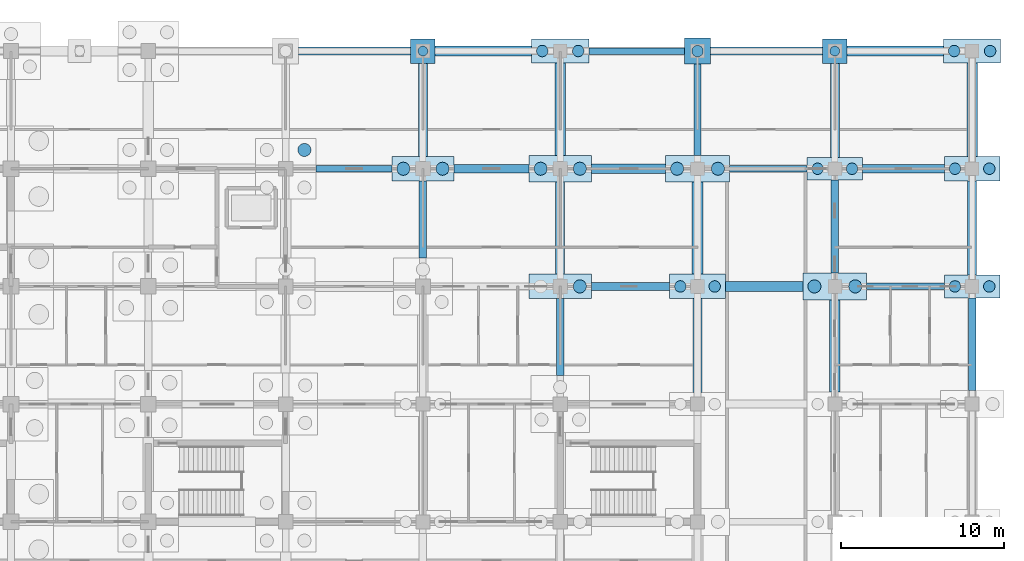
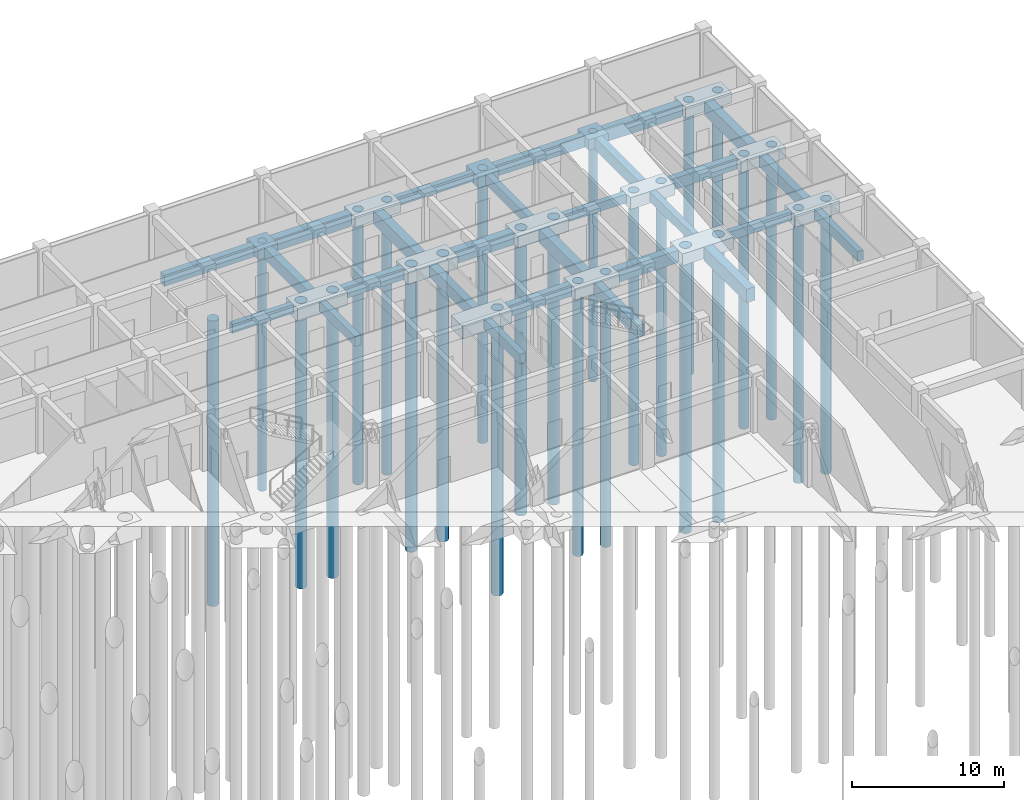
# One storey, part 16 of 85: 41 footings, 25 piles.
"""IFC4 building model written with IfcOpenShell, lengths in metres."""

from ifc_helpers import new_model, si_unit, direction, frame, origin, origin_2d, place, context, subcontext, project, spatial, rectangle, circle, extrude, material, material_profile, profile_set, type_object, element, save


model = new_model("IFC4")

# Units and contexts
model_context = context("Model", 3, precision=1e-05, world=origin(), true_north=direction((0.0, 1.0)))
body_context = subcontext(model_context, "Body", "Model", "MODEL_VIEW")
ifc_project = project(units=[si_unit("LENGTHUNIT", "METRE"), si_unit("AREAUNIT", "SQUARE_METRE"), si_unit("VOLUMEUNIT", "CUBIC_METRE"), si_unit("PLANEANGLEUNIT", "RADIAN"), si_unit("MASSUNIT", "GRAM", prefix="KILO")], contexts=[model_context])

# Site, building, storey
site_placement = place(None, origin())
site = spatial("IfcSite", under=ifc_project, at=site_placement, CompositionType="ELEMENT")
building_placement = place(site_placement, origin())
building = spatial("IfcBuilding", under=site, at=building_placement, Name="Chengyuan Square Courthouse", CompositionType="ELEMENT")
storey_placement = place(building_placement, frame((0.0, 0.0, -10.199951171875)))
storey = spatial("IfcBuildingStorey", under=building, at=storey_placement, Name="B02", CompositionType="ELEMENT", Elevation=-10.199951171875)

# Footings
ifc_material = material(Name="Concrete C40", Category="concrete")
ifc_material_profile_1 = material_profile(ifc_material, rectangle(XDim=0.39990234375, YDim=0.699951171875, at=origin_2d()), Name="GB-400x700")
ifc_profile_set_1 = profile_set([ifc_material_profile_1], Name="Concrete C40")
footing_type_1 = type_object("IfcFootingType", Name="GB-01", PredefinedType="FOOTING_BEAM", material=ifc_profile_set_1)
footing_1_placement = place(storey_placement, frame((161.550048828125, 100.800048828125, -1.150146484375), z_axis=(1.0, 0.0, 0.0), x_axis=(0.0, 1.0, 0.0)))
element("IfcFooting", 1, at=footing_1_placement, inside=storey, type_object=footing_type_1, Name="Ground Tie Beam GB-B02-0300", PredefinedType="FOOTING_BEAM", context=body_context, shape_type="SweptSolid", body=[
    extrude(rectangle(XDim=0.39990234375, YDim=0.699951171875, at=origin_2d()), origin(), (0.0, 0.0, 1.0), 4.75),
])
footing_2_placement = place(storey_placement, frame((127.85009765625, 108.0, -1.150146484375), z_axis=(1.0, 0.0, 0.0), x_axis=(0.0, 1.0, 0.0)))
element("IfcFooting", 2, at=footing_2_placement, inside=storey, type_object=footing_type_1, Name="Ground Tie Beam GB-B02-0316", PredefinedType="FOOTING_BEAM", context=body_context, shape_type="SweptSolid", body=[
    extrude(rectangle(XDim=0.39990234375, YDim=0.699951171875, at=origin_2d()), origin(), (0.0, 0.0, 1.0), 4.64990234375),
])
footing_3_placement = place(storey_placement, frame((153.14990234375, 108.0, -1.150146484375), z_axis=(1.0, 0.0, 0.0), x_axis=(0.0, 1.0, 0.0)))
element("IfcFooting", 3, at=footing_3_placement, inside=storey, type_object=footing_type_1, Name="Ground Tie Beam GB-B02-0319", PredefinedType="FOOTING_BEAM", context=body_context, shape_type="SweptSolid", body=[
    extrude(rectangle(XDim=0.39990234375, YDim=0.699951171875, at=origin_2d()), origin(), (0.0, 0.0, 1.0), 4.75),
])
footing_4_placement = place(storey_placement, frame((144.550048828125, 115.199951171875, -1.150146484375), z_axis=(1.0, 0.0, 0.0), x_axis=(0.0, 1.0, 0.0)))
element("IfcFooting", 4, at=footing_4_placement, inside=storey, type_object=footing_type_1, Name="Ground Tie Beam GB-B02-0344", PredefinedType="FOOTING_BEAM", context=body_context, shape_type="SweptSolid", body=[
    extrude(rectangle(XDim=0.39990234375, YDim=0.699951171875, at=origin_2d()), origin(), (0.0, 0.0, 1.0), 5.849853515625),
])
ifc_material_profile_2 = material_profile(ifc_material, rectangle(XDim=0.449951171875, YDim=0.800048828125, at=origin_2d()), Name="GB-450x800")
ifc_profile_set_2 = profile_set([ifc_material_profile_2], Name="Concrete C40")
footing_type_2 = type_object("IfcFootingType", Name="GB-02", PredefinedType="FOOTING_BEAM", material=ifc_profile_set_2)
for number, where, z_axis, x_axis, name in (
    (5, (134.39990234375, 102.550048828125, -1.199951171875), (0.0, 1.0, 0.0), (-1.0, 0.0, 0.0), "Ground Tie Beam GB-B02-0617"),
    (6, (142.800048828125, 95.35009765625, -1.199951171875), (0.0, 1.0, 0.0), (-1.0, 0.0, 0.0), "Ground Tie Beam GB-B02-0632"),
):
    element("IfcFooting", number, at=place(storey_placement, frame(where, z_axis=z_axis, x_axis=x_axis)), inside=storey, type_object=footing_type_2, Name=name, PredefinedType="FOOTING_BEAM", context=body_context, shape_type="SweptSolid", body=[
        extrude(rectangle(XDim=0.449951171875, YDim=0.800048828125, at=origin_2d()), origin(), (0.0, 0.0, 1.0), 4.699951171875),
    ])
footing_5_placement = place(storey_placement, frame((151.199951171875, 108.824951171875, -1.199951171875), z_axis=(0.0, 1.0, 0.0), x_axis=(-1.0, 0.0, 0.0)))
element("IfcFooting", 7, at=footing_5_placement, inside=storey, type_object=footing_type_2, Name="Ground Tie Beam GB-B02-0650", PredefinedType="FOOTING_BEAM", context=body_context, shape_type="SweptSolid", body=[
    extrude(rectangle(XDim=0.449951171875, YDim=0.800048828125, at=origin_2d()), origin(), (0.0, 0.0, 1.0), 5.574951171875),
])
for number, where, z_axis, x_axis, name in (
    (8, (159.60009765625, 101.625, -1.199951171875), (0.0, 1.0, 0.0), (-1.0, 0.0, 0.0), "Ground Tie Beam GB-B02-0665"),
    (9, (168.0, 94.425048828125, -1.199951171875), (0.0, 1.0, 0.0), (-1.0, 0.0, 0.0), "Ground Tie Beam GB-B02-0680"),
):
    element("IfcFooting", number, at=place(storey_placement, frame(where, z_axis=z_axis, x_axis=x_axis)), inside=storey, type_object=footing_type_2, Name=name, PredefinedType="FOOTING_BEAM", context=body_context, shape_type="SweptSolid", body=[
        extrude(rectangle(XDim=0.449951171875, YDim=0.800048828125, at=origin_2d()), origin(), (0.0, 0.0, 1.0), 5.675048828125),
    ])
ifc_material_profile_3 = material_profile(ifc_material, rectangle(XDim=0.5, YDim=0.89990234375, at=origin_2d()), Name="GB-500x900")
ifc_profile_set_3 = profile_set([ifc_material_profile_3], Name="Concrete C40")
footing_type_3 = type_object("IfcFootingType", Name="GB-03", PredefinedType="FOOTING_BEAM", material=ifc_profile_set_3)
footing_6_placement = place(storey_placement, frame((144.699951171875, 100.800048828125, -1.25), z_axis=(1.0, 0.0, 0.0), x_axis=(0.0, 1.0, 0.0)))
element("IfcFooting", 10, at=footing_6_placement, inside=storey, type_object=footing_type_3, Name="Ground Tie Beam GB-B02-0298", PredefinedType="FOOTING_BEAM", context=body_context, shape_type="SweptSolid", body=[
    extrude(rectangle(XDim=0.5, YDim=0.89990234375, at=origin_2d()), origin(), (0.0, 0.0, 1.0), 4.800048828125),
])
footing_7_placement = place(storey_placement, frame((136.300048828125, 108.0, -1.25), z_axis=(1.0, 0.0, 0.0), x_axis=(0.0, 1.0, 0.0)))
element("IfcFooting", 11, at=footing_7_placement, inside=storey, type_object=footing_type_3, Name="Ground Tie Beam GB-B02-0317", PredefinedType="FOOTING_BEAM", context=body_context, shape_type="SweptSolid", body=[
    extrude(rectangle(XDim=0.5, YDim=0.89990234375, at=origin_2d()), origin(), (0.0, 0.0, 1.0), 4.599853515625),
])
footing_8_placement = place(storey_placement, frame((161.300048828125, 108.0, -1.25), z_axis=(1.0, 0.0, 0.0), x_axis=(0.0, 1.0, 0.0)))
element("IfcFooting", 12, at=footing_8_placement, inside=storey, type_object=footing_type_3, Name="Ground Tie Beam GB-B02-0320", PredefinedType="FOOTING_BEAM", context=body_context, shape_type="SweptSolid", body=[
    extrude(rectangle(XDim=0.5, YDim=0.89990234375, at=origin_2d()), origin(), (0.0, 0.0, 1.0), 5.0),
])
footing_9_placement = place(storey_placement, frame((126.800048828125, 115.199951171875, -1.25), z_axis=(1.0, 0.0, 0.0), x_axis=(0.0, 1.0, 0.0)))
element("IfcFooting", 13, at=footing_9_placement, inside=storey, type_object=footing_type_3, Name="Ground Tie Beam GB-B02-0342", PredefinedType="FOOTING_BEAM", context=body_context, shape_type="SweptSolid", body=[
    extrude(rectangle(XDim=0.5, YDim=0.89990234375, at=origin_2d()), origin(), (0.0, 0.0, 1.0), 6.849853515625),
])
footing_10_placement = place(storey_placement, frame((152.0, 115.199951171875, -1.25), z_axis=(1.0, 0.0, 0.0), x_axis=(0.0, 1.0, 0.0)))
element("IfcFooting", 14, at=footing_10_placement, inside=storey, type_object=footing_type_3, Name="Ground Tie Beam GB-B02-0345", PredefinedType="FOOTING_BEAM", context=body_context, shape_type="SweptSolid", body=[
    extrude(rectangle(XDim=0.5, YDim=0.89990234375, at=origin_2d()), origin(), (0.0, 0.0, 1.0), 6.85009765625),
])
ifc_material_profile_4 = material_profile(ifc_material, rectangle(XDim=0.550048828125, YDim=0.949951171875, at=origin_2d()), Name="GB-550x950")
ifc_profile_set_4 = profile_set([ifc_material_profile_4], Name="Concrete C40")
footing_type_4 = type_object("IfcFootingType", Name="GB-04", PredefinedType="FOOTING_BEAM", material=ifc_profile_set_4)
footing_11_placement = place(storey_placement, frame((134.39990234375, 108.75, -1.275146484375), z_axis=(0.0, 1.0, 0.0), x_axis=(-1.0, 0.0, 0.0)))
element("IfcFooting", 15, at=footing_11_placement, inside=storey, type_object=footing_type_4, Name="Ground Tie Beam GB-B02-0618", PredefinedType="FOOTING_BEAM", context=body_context, shape_type="SweptSolid", body=[
    extrude(rectangle(XDim=0.550048828125, YDim=0.949951171875, at=origin_2d()), origin(), (0.0, 0.0, 1.0), 5.699951171875),
])
footing_12_placement = place(storey_placement, frame((142.800048828125, 101.550048828125, -1.275146484375), z_axis=(0.0, 1.0, 0.0), x_axis=(-1.0, 0.0, 0.0)))
element("IfcFooting", 16, at=footing_12_placement, inside=storey, type_object=footing_type_4, Name="Ground Tie Beam GB-B02-0633", PredefinedType="FOOTING_BEAM", context=body_context, shape_type="SweptSolid", body=[
    extrude(rectangle(XDim=0.550048828125, YDim=0.949951171875, at=origin_2d()), origin(), (0.0, 0.0, 1.0), 5.64990234375),
])
for number, where, z_axis, x_axis, name in (
    (17, (151.199951171875, 94.300048828125, -1.275146484375), (0.0, 1.0, 0.0), (-1.0, 0.0, 0.0), "Ground Tie Beam GB-B02-0648"),
    (18, (159.60009765625, 108.699951171875, -1.275146484375), (0.0, 1.0, 0.0), (-1.0, 0.0, 0.0), "Ground Tie Beam GB-B02-0666"),
    (19, (168.0, 101.5, -1.275146484375), (0.0, 1.0, 0.0), (-1.0, 0.0, 0.0), "Ground Tie Beam GB-B02-0681"),
):
    element("IfcFooting", number, at=place(storey_placement, frame(where, z_axis=z_axis, x_axis=x_axis)), inside=storey, type_object=footing_type_4, Name=name, PredefinedType="FOOTING_BEAM", context=body_context, shape_type="SweptSolid", body=[
        extrude(rectangle(XDim=0.550048828125, YDim=0.949951171875, at=origin_2d()), origin(), (0.0, 0.0, 1.0), 5.75),
    ])
ifc_material_profile_5 = material_profile(ifc_material, rectangle(XDim=0.60009765625, YDim=1.0, at=origin_2d()), Name="GB-600x1000")
ifc_profile_set_5 = profile_set([ifc_material_profile_5], Name="Concrete C40")
footing_type_5 = type_object("IfcFootingType", Name="GB-05", PredefinedType="FOOTING_BEAM", material=ifc_profile_set_5)
footing_13_placement = place(storey_placement, frame((152.89990234375, 100.800048828125, -1.300048828125), z_axis=(1.0, 0.0, 0.0), x_axis=(0.0, 1.0, 0.0)))
element("IfcFooting", 20, at=footing_13_placement, inside=storey, type_object=footing_type_5, Name="Ground Tie Beam GB-B02-0299", PredefinedType="FOOTING_BEAM", context=body_context, shape_type="SweptSolid", body=[
    extrude(rectangle(XDim=0.60009765625, YDim=1.0, at=origin_2d()), origin(), (0.0, 0.0, 1.0), 4.75),
])
footing_14_placement = place(storey_placement, frame((144.699951171875, 108.0, -1.300048828125), z_axis=(1.0, 0.0, 0.0), x_axis=(0.0, 1.0, 0.0)))
element("IfcFooting", 21, at=footing_14_placement, inside=storey, type_object=footing_type_5, Name="Ground Tie Beam GB-B02-0318", PredefinedType="FOOTING_BEAM", context=body_context, shape_type="SweptSolid", body=[
    extrude(rectangle(XDim=0.60009765625, YDim=1.0, at=origin_2d()), origin(), (0.0, 0.0, 1.0), 4.550048828125),
])
footing_15_placement = place(storey_placement, frame((135.14990234375, 115.199951171875, -1.300048828125), z_axis=(1.0, 0.0, 0.0), x_axis=(0.0, 1.0, 0.0)))
element("IfcFooting", 22, at=footing_15_placement, inside=storey, type_object=footing_type_5, Name="Ground Tie Beam GB-B02-0343", PredefinedType="FOOTING_BEAM", context=body_context, shape_type="SweptSolid", body=[
    extrude(rectangle(XDim=0.60009765625, YDim=1.0, at=origin_2d()), origin(), (0.0, 0.0, 1.0), 5.900146484375),
])
footing_16_placement = place(storey_placement, frame((160.35009765625, 115.199951171875, -1.300048828125), z_axis=(1.0, 0.0, 0.0), x_axis=(0.0, 1.0, 0.0)))
element("IfcFooting", 23, at=footing_16_placement, inside=storey, type_object=footing_type_5, Name="Ground Tie Beam GB-B02-0346", PredefinedType="FOOTING_BEAM", context=body_context, shape_type="SweptSolid", body=[
    extrude(rectangle(XDim=0.60009765625, YDim=1.0, at=origin_2d()), origin(), (0.0, 0.0, 1.0), 5.89990234375),
])
ifc_material_profile_6 = material_profile(ifc_material, rectangle(XDim=0.64990234375, YDim=1.10009765625, at=origin_2d()), Name="GB-650x1100")
ifc_profile_set_6 = profile_set([ifc_material_profile_6], Name="Concrete C40")
footing_type_6 = type_object("IfcFootingType", Name="GB-06", PredefinedType="FOOTING_BEAM", material=ifc_profile_set_6)
footing_17_placement = place(storey_placement, frame((142.800048828125, 108.800048828125, -1.35009765625), z_axis=(0.0, 1.0, 0.0), x_axis=(-1.0, 0.0, 0.0)))
element("IfcFooting", 24, at=footing_17_placement, inside=storey, type_object=footing_type_6, Name="Ground Tie Beam GB-B02-0634", PredefinedType="FOOTING_BEAM", context=body_context, shape_type="SweptSolid", body=[
    extrude(rectangle(XDim=0.64990234375, YDim=1.10009765625, at=origin_2d()), origin(), (0.0, 0.0, 1.0), 5.675048828125),
])
for number, where, z_axis, x_axis, name in (
    (25, (151.199951171875, 101.550048828125, -1.35009765625), (0.0, 1.0, 0.0), (-1.0, 0.0, 0.0), "Ground Tie Beam GB-B02-0649"),
    (26, (159.60009765625, 94.35009765625, -1.35009765625), (0.0, 1.0, 0.0), (-1.0, 0.0, 0.0), "Ground Tie Beam GB-B02-0664"),
):
    element("IfcFooting", number, at=place(storey_placement, frame(where, z_axis=z_axis, x_axis=x_axis)), inside=storey, type_object=footing_type_6, Name=name, PredefinedType="FOOTING_BEAM", context=body_context, shape_type="SweptSolid", body=[
        extrude(rectangle(XDim=0.64990234375, YDim=1.10009765625, at=origin_2d()), origin(), (0.0, 0.0, 1.0), 5.625),
    ])
footing_18_placement = place(storey_placement, frame((168.0, 108.75, -1.35009765625), z_axis=(0.0, 1.0, 0.0), x_axis=(-1.0, 0.0, 0.0)))
element("IfcFooting", 27, at=footing_18_placement, inside=storey, type_object=footing_type_6, Name="Ground Tie Beam GB-B02-0682", PredefinedType="FOOTING_BEAM", context=body_context, shape_type="SweptSolid", body=[
    extrude(rectangle(XDim=0.64990234375, YDim=1.10009765625, at=origin_2d()), origin(), (0.0, 0.0, 1.0), 5.72509765625),
])
footing_type_7 = type_object("IfcFootingType", Name="PC-14", PredefinedType="PILE_CAP", material=ifc_material)
for number, where, z_axis, x_axis, name in (
    (28, (134.39990234375, 108.0, -1.85009765625), (0.0, 0.0, 1.0), (1.0, 0.0, 0.0), "Pile Cap PC-B02-288"),
    (29, (142.800048828125, 100.800048828125, -1.85009765625), (0.0, 0.0, 1.0), (1.0, 0.0, 0.0), "Pile Cap PC-B02-304"),
):
    element("IfcFooting", number, at=place(storey_placement, frame(where, z_axis=z_axis, x_axis=x_axis)), inside=storey, type_object=footing_type_7, Name=name, PredefinedType="PILE_CAP", context=body_context, shape_type="SweptSolid", body=[
        extrude(rectangle(XDim=3.800048828125, YDim=1.5, at=origin_2d()), origin(), (0.0, 0.0, 1.0), 1.050048828125),
    ])
footing_type_8 = type_object("IfcFootingType", Name="PC-15", PredefinedType="PILE_CAP", material=ifc_material)
footing_19_placement = place(storey_placement, frame((142.800048828125, 108.0, -1.800048828125), z_axis=(0.0, 0.0, 1.0), x_axis=(1.0, 0.0, 0.0)))
element("IfcFooting", 30, at=footing_19_placement, inside=storey, type_object=footing_type_8, Name="Pile Cap PC-B02-305", PredefinedType="PILE_CAP", context=body_context, shape_type="SweptSolid", body=[
    extrude(rectangle(XDim=3.800048828125, YDim=1.60009765625, at=origin_2d()), origin(), (0.0, 0.0, 1.0), 1.0),
])
footing_type_9 = type_object("IfcFootingType", Name="PC-16", PredefinedType="PILE_CAP", material=ifc_material)
for number, where, z_axis, x_axis, name in (
    (31, (151.199951171875, 108.0, -1.75), (0.0, 0.0, 1.0), (1.0, 0.0, 0.0), "Pile Cap PC-B02-322"),
    (32, (159.60009765625, 100.800048828125, -1.75), (0.0, 0.0, 1.0), (1.0, 0.0, 0.0), "Pile Cap PC-B02-338"),
):
    element("IfcFooting", number, at=place(storey_placement, frame(where, z_axis=z_axis, x_axis=x_axis)), inside=storey, type_object=footing_type_9, Name=name, PredefinedType="PILE_CAP", context=body_context, shape_type="SweptSolid", body=[
        extrude(rectangle(XDim=3.89990234375, YDim=1.64990234375, at=origin_2d()), origin(), (0.0, 0.0, 1.0), 0.949951171875),
    ])
footing_type_10 = type_object("IfcFootingType", Name="PC-17", PredefinedType="PILE_CAP", material=ifc_material)
for number, where, z_axis, x_axis, name in (
    (33, (159.60009765625, 108.0, -1.75), (0.0, 0.0, 1.0), (1.0, 0.0, 0.0), "Pile Cap PC-B02-339"),
    (34, (168.0, 100.800048828125, -1.75), (0.0, 0.0, 1.0), (1.0, 0.0, 0.0), "Pile Cap PC-B02-355"),
):
    element("IfcFooting", number, at=place(storey_placement, frame(where, z_axis=z_axis, x_axis=x_axis)), inside=storey, type_object=footing_type_10, Name=name, PredefinedType="PILE_CAP", context=body_context, shape_type="SweptSolid", body=[
        extrude(rectangle(XDim=3.39990234375, YDim=1.39990234375, at=origin_2d()), origin(), (0.0, 0.0, 1.0), 0.949951171875),
    ])
footing_type_11 = type_object("IfcFootingType", Name="PC-18", PredefinedType="PILE_CAP", material=ifc_material)
for number, where, z_axis, x_axis, name in (
    (35, (151.199951171875, 100.800048828125, -1.699951171875), (0.0, 0.0, 1.0), (1.0, 0.0, 0.0), "Pile Cap PC-B02-321"),
    (36, (168.0, 108.0, -1.699951171875), (0.0, 0.0, 1.0), (1.0, 0.0, 0.0), "Pile Cap PC-B02-356"),
):
    element("IfcFooting", number, at=place(storey_placement, frame(where, z_axis=z_axis, x_axis=x_axis)), inside=storey, type_object=footing_type_11, Name=name, PredefinedType="PILE_CAP", context=body_context, shape_type="SweptSolid", body=[
        extrude(rectangle(XDim=3.39990234375, YDim=1.5, at=origin_2d()), origin(), (0.0, 0.0, 1.0), 0.89990234375),
    ])
footing_type_12 = type_object("IfcFootingType", Name="PC-19", PredefinedType="PILE_CAP", material=ifc_material)
for number, where, z_axis, x_axis, name in (
    (37, (142.800048828125, 115.199951171875, -1.650146484375), (0.0, 0.0, 1.0), (1.0, 0.0, 0.0), "Pile Cap PC-B02-306"),
    (38, (168.0, 115.199951171875, -1.650146484375), (0.0, 0.0, 1.0), (1.0, 0.0, 0.0), "Pile Cap PC-B02-357"),
):
    element("IfcFooting", number, at=place(storey_placement, frame(where, z_axis=z_axis, x_axis=x_axis)), inside=storey, type_object=footing_type_12, Name=name, PredefinedType="PILE_CAP", context=body_context, shape_type="SweptSolid", body=[
        extrude(rectangle(XDim=3.5, YDim=1.449951171875, at=origin_2d()), origin(), (0.0, 0.0, 1.0), 0.85009765625),
    ])
footing_type_13 = type_object("IfcFootingType", Name="PC-20", PredefinedType="PILE_CAP", material=ifc_material)
footing_20_placement = place(storey_placement, frame((151.199951171875, 115.199951171875, -1.699951171875), z_axis=(0.0, 0.0, 1.0), x_axis=(1.0, 0.0, 0.0)))
element("IfcFooting", 39, at=footing_20_placement, inside=storey, type_object=footing_type_13, Name="Pile Cap PC-B02-323", PredefinedType="PILE_CAP", context=body_context, shape_type="SweptSolid", body=[
    extrude(rectangle(XDim=1.60009765625, YDim=1.60009765625, at=origin_2d()), origin(), (0.0, 0.0, 1.0), 0.89990234375),
])
footing_type_14 = type_object("IfcFootingType", Name="PC-21", PredefinedType="PILE_CAP", material=ifc_material)
for number, where, z_axis, x_axis, name in (
    (40, (134.39990234375, 115.199951171875, -1.650146484375), (0.0, 0.0, 1.0), (1.0, 0.0, 0.0), "Pile Cap PC-B02-289"),
    (41, (159.60009765625, 115.199951171875, -1.650146484375), (0.0, 0.0, 1.0), (1.0, 0.0, 0.0), "Pile Cap PC-B02-340"),
):
    element("IfcFooting", number, at=place(storey_placement, frame(where, z_axis=z_axis, x_axis=x_axis)), inside=storey, type_object=footing_type_14, Name=name, PredefinedType="PILE_CAP", context=body_context, shape_type="SweptSolid", body=[
        extrude(rectangle(XDim=1.5, YDim=1.5, at=origin_2d()), origin(), (0.0, 0.0, 1.0), 0.85009765625),
    ])

# Piles
ifc_material_profile_7 = material_profile(ifc_material, circle(Radius=0.300048828125, at=origin_2d()), Name="BORED PILE D600")
ifc_profile_set_7 = profile_set([ifc_material_profile_7], Name="Concrete C40")
pile_type_1 = type_object("IfcPileType", Name="PL-01", PredefinedType="BORED", material=ifc_profile_set_7)
for number, where, z_axis, x_axis, name in (
    (42, (134.39990234375, 115.199951171875, -0.800048828125), (0.0, 0.0, -1.0), (1.0, 0.0, 0.0), "Bored Pile PL-B02-0586"),
    (43, (159.60009765625, 115.199951171875, -0.800048828125), (0.0, 0.0, -1.0), (1.0, 0.0, 0.0), "Bored Pile PL-B02-0669"),
):
    element("IfcPile", number, at=place(storey_placement, frame(where, z_axis=z_axis, x_axis=x_axis)), inside=storey, type_object=pile_type_1, Name=name, PredefinedType="BORED", context=body_context, shape_type="SweptSolid", body=[
        extrude(circle(Radius=0.300048828125, at=origin_2d()), origin(), (0.0, 0.0, 1.0), 20.0),
    ])
ifc_material_profile_8 = material_profile(ifc_material, circle(Radius=0.35009765625, at=origin_2d()), Name="BORED PILE D700")
ifc_profile_set_8 = profile_set([ifc_material_profile_8], Name="Concrete C40")
pile_type_2 = type_object("IfcPileType", Name="PL-02", PredefinedType="BORED", material=ifc_profile_set_8)
for number, where, z_axis, x_axis, name in (
    (44, (141.699951171875, 115.199951171875, -0.800048828125), (0.0, 0.0, -1.0), (1.0, 0.0, 0.0), "Bored Pile PL-B02-0613"),
    (45, (143.89990234375, 115.199951171875, -0.800048828125), (0.0, 0.0, -1.0), (1.0, 0.0, 0.0), "Bored Pile PL-B02-0614"),
    (46, (150.14990234375, 100.800048828125, -0.800048828125), (0.0, 0.0, -1.0), (1.0, 0.0, 0.0), "Bored Pile PL-B02-0640"),
    (47, (152.25, 100.800048828125, -0.800048828125), (0.0, 0.0, -1.0), (1.0, 0.0, 0.0), "Bored Pile PL-B02-0641"),
    (48, (151.199951171875, 115.199951171875, -0.800048828125), (0.0, 0.0, -1.0), (1.0, 0.0, 0.0), "Bored Pile PL-B02-0644"),
    (49, (158.550048828125, 108.0, -0.800048828125), (0.0, 0.0, -1.0), (1.0, 0.0, 0.0), "Bored Pile PL-B02-0667"),
    (50, (160.64990234375, 108.0, -0.800048828125), (0.0, 0.0, -1.0), (1.0, 0.0, 0.0), "Bored Pile PL-B02-0668"),
    (51, (166.949951171875, 100.800048828125, -0.800048828125), (0.0, 0.0, -1.0), (1.0, 0.0, 0.0), "Bored Pile PL-B02-0695"),
    (52, (169.050048828125, 100.800048828125, -0.800048828125), (0.0, 0.0, -1.0), (1.0, 0.0, 0.0), "Bored Pile PL-B02-0696"),
    (53, (166.949951171875, 108.0, -0.800048828125), (0.0, 0.0, -1.0), (1.0, 0.0, 0.0), "Bored Pile PL-B02-0697"),
    (54, (169.050048828125, 108.0, -0.800048828125), (0.0, 0.0, -1.0), (1.0, 0.0, 0.0), "Bored Pile PL-B02-0698"),
    (55, (166.89990234375, 115.199951171875, -0.800048828125), (0.0, 0.0, -1.0), (1.0, 0.0, 0.0), "Bored Pile PL-B02-0699"),
    (56, (169.10009765625, 115.199951171875, -0.800048828125), (0.0, 0.0, -1.0), (1.0, 0.0, 0.0), "Bored Pile PL-B02-0700"),
):
    element("IfcPile", number, at=place(storey_placement, frame(where, z_axis=z_axis, x_axis=x_axis)), inside=storey, type_object=pile_type_2, Name=name, PredefinedType="BORED", context=body_context, shape_type="SweptSolid", body=[
        extrude(circle(Radius=0.35009765625, at=origin_2d()), origin(), (0.0, 0.0, 1.0), 22.0),
    ])
ifc_material_profile_9 = material_profile(ifc_material, circle(Radius=0.39990234375, at=origin_2d()), Name="BORED PILE D800")
ifc_profile_set_9 = profile_set([ifc_material_profile_9], Name="Concrete C40")
pile_type_3 = type_object("IfcPileType", Name="PL-03", PredefinedType="BORED", material=ifc_profile_set_9)
for number, where, z_axis, x_axis, name in (
    (57, (127.14990234375, 109.14990234375, -0.800048828125), (0.0, 0.0, -1.0), (1.0, 0.0, 0.0), "Bored Pile PL-B02-0558"),
    (58, (133.199951171875, 108.0, -0.800048828125), (0.0, 0.0, -1.0), (1.0, 0.0, 0.0), "Bored Pile PL-B02-0584"),
    (59, (135.60009765625, 108.0, -0.800048828125), (0.0, 0.0, -1.0), (1.0, 0.0, 0.0), "Bored Pile PL-B02-0585"),
    (60, (144.0, 100.800048828125, -0.800048828125), (0.0, 0.0, -1.0), (1.0, 0.0, 0.0), "Bored Pile PL-B02-0610"),
    (61, (141.60009765625, 108.0, -0.800048828125), (0.0, 0.0, -1.0), (1.0, 0.0, 0.0), "Bored Pile PL-B02-0611"),
    (62, (144.0, 108.0, -0.800048828125), (0.0, 0.0, -1.0), (1.0, 0.0, 0.0), "Bored Pile PL-B02-0612"),
    (63, (149.949951171875, 108.0, -0.800048828125), (0.0, 0.0, -1.0), (1.0, 0.0, 0.0), "Bored Pile PL-B02-0642"),
    (64, (152.449951171875, 108.0, -0.800048828125), (0.0, 0.0, -1.0), (1.0, 0.0, 0.0), "Bored Pile PL-B02-0643"),
    (65, (158.35009765625, 100.800048828125, -0.800048828125), (0.0, 0.0, -1.0), (1.0, 0.0, 0.0), "Bored Pile PL-B02-0665"),
    (66, (160.85009765625, 100.800048828125, -0.800048828125), (0.0, 0.0, -1.0), (1.0, 0.0, 0.0), "Bored Pile PL-B02-0666"),
):
    element("IfcPile", number, at=place(storey_placement, frame(where, z_axis=z_axis, x_axis=x_axis)), inside=storey, type_object=pile_type_3, Name=name, PredefinedType="BORED", context=body_context, shape_type="SweptSolid", body=[
        extrude(circle(Radius=0.39990234375, at=origin_2d()), origin(), (0.0, 0.0, 1.0), 23.0),
    ])

save(model, "model.ifc")
